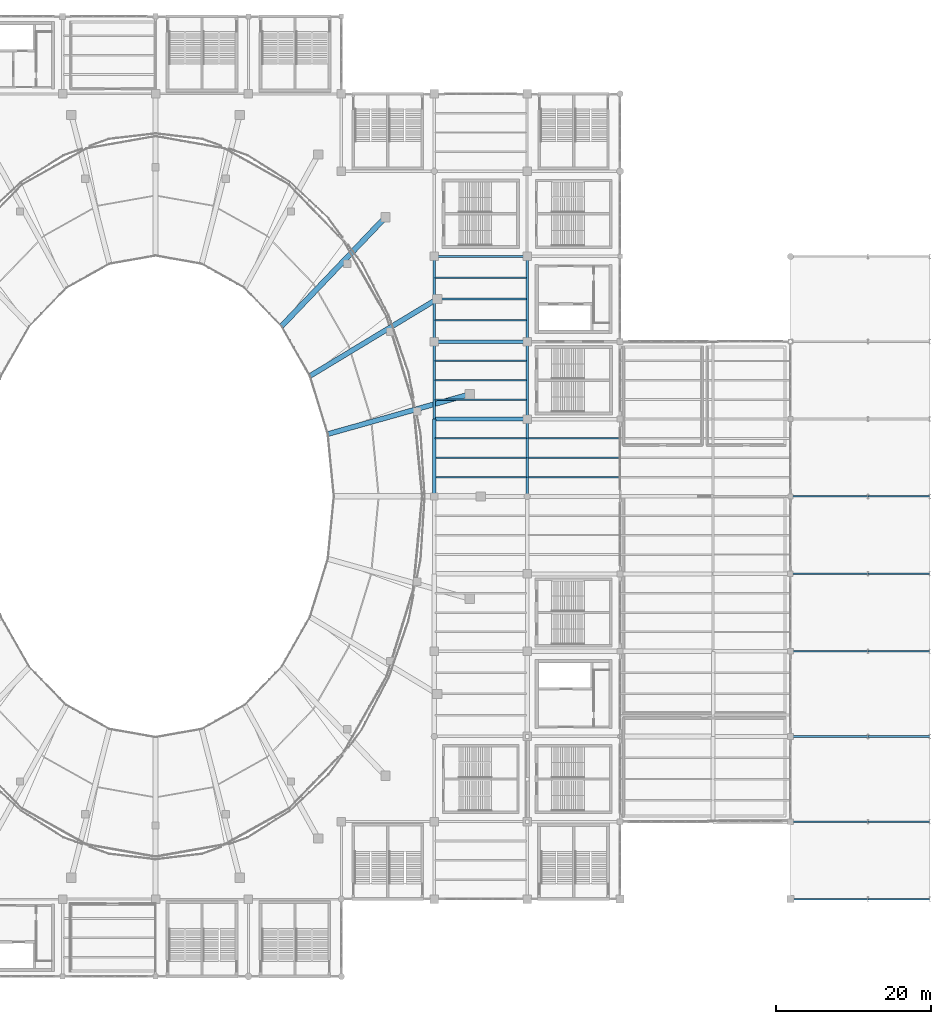
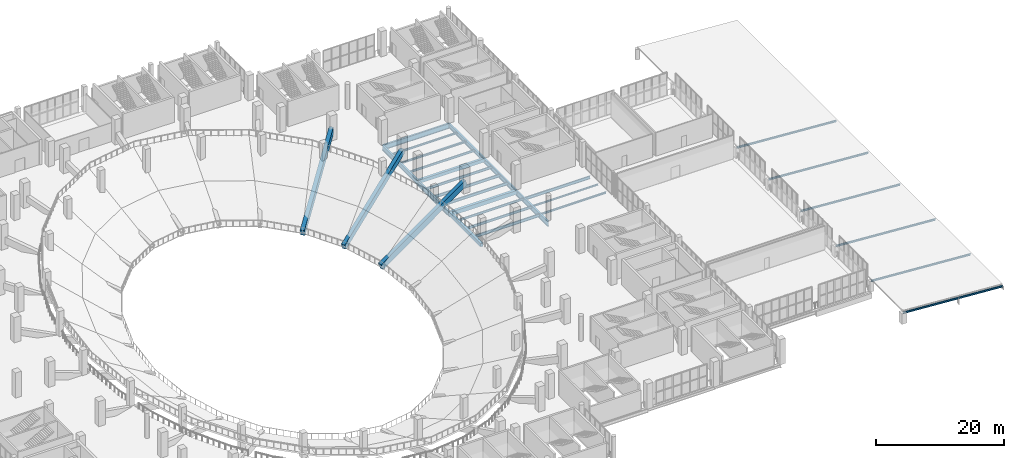
# One storey, part 76 of 136: 36 beams.
"""IFC4 building model written with IfcOpenShell, lengths in metres."""

from ifc_helpers import new_model, si_unit, direction, frame, origin, origin_2d, place, context, subcontext, project, spatial, rectangle, i_section, extrude, material, material_profile, profile_set, type_object, element, save


model = new_model("IFC4")

# Units and contexts
model_context = context("Model", 3, precision=1e-05, world=origin(), true_north=direction((0.0, 1.0)))
body_context = subcontext(model_context, "Body", "Model", "MODEL_VIEW")
ifc_project = project(units=[si_unit("LENGTHUNIT", "METRE"), si_unit("AREAUNIT", "SQUARE_METRE"), si_unit("VOLUMEUNIT", "CUBIC_METRE"), si_unit("PLANEANGLEUNIT", "RADIAN"), si_unit("MASSUNIT", "GRAM", prefix="KILO")], contexts=[model_context])

# Site, building, storey
site_placement = place(None, origin())
site = spatial("IfcSite", under=ifc_project, at=site_placement, CompositionType="ELEMENT")
building_placement = place(site_placement, origin())
building = spatial("IfcBuilding", under=site, at=building_placement, Name="Brinegate Civic Arena", CompositionType="ELEMENT")
storey_placement = place(building_placement, frame((0.0, 0.0, 5.39990234375)))
storey = spatial("IfcBuildingStorey", under=building, at=storey_placement, Name="L01", CompositionType="ELEMENT", Elevation=5.39990234375)

# Beams
ifc_material_1 = material(Name="Steel S355", Category="steel")
ifc_material_profile_1 = material_profile(ifc_material_1, i_section(OverallWidth=0.300048828125, OverallDepth=1.0, WebThickness=0.01904296875, FlangeThickness=0.031982421875, FilletRadius=0.02392578125, at=origin_2d()), Name="W1000X321")
ifc_profile_set_1 = profile_set([ifc_material_profile_1], Name="Steel S355")
beam_type_1 = type_object("IfcBeamType", Name="GIRDER-W1000X321", PredefinedType="BEAM", material=ifc_profile_set_1)
beam_1_placement = place(storey_placement, frame((144.0, 93.0, -0.83984375), z_axis=(1.0, 0.0, 0.0), x_axis=(0.0, 1.0, 0.0)))
element("IfcBeam", 1, at=beam_1_placement, inside=storey, type_object=beam_type_1, Name="Floor Girder BM-L01-GX-12-09", PredefinedType="BEAM", context=body_context, shape_type="SweptSolid", body=[
    extrude(i_section(OverallWidth=0.300048828125, OverallDepth=1.0, WebThickness=0.01904296875, FlangeThickness=0.031982421875, FilletRadius=0.02392578125, at=origin_2d()), origin(), (0.0, 0.0, 1.0), 12.0),
])
for number, where, z_axis, x_axis, name in (
    (2, (144.0, 72.0, -0.83984375), (0.0, 1.0, 0.0), (-1.0, 0.0, 0.0), "Floor Girder BM-L01-GY-12-07"),
    (3, (156.0, 62.0, -0.83984375), (0.0, 1.0, 0.0), (-1.0, 0.0, 0.0), "Floor Girder BM-L01-GY-13-06"),
):
    element("IfcBeam", number, at=place(storey_placement, frame(where, z_axis=z_axis, x_axis=x_axis)), inside=storey, type_object=beam_type_1, Name=name, PredefinedType="BEAM", context=body_context, shape_type="SweptSolid", body=[
        extrude(i_section(OverallWidth=0.300048828125, OverallDepth=1.0, WebThickness=0.01904296875, FlangeThickness=0.031982421875, FilletRadius=0.02392578125, at=origin_2d()), origin(), (0.0, 0.0, 1.0), 10.0),
    ])
ifc_material_profile_2 = material_profile(ifc_material_1, i_section(OverallWidth=0.2939453125, OverallDepth=0.85107421875, WebThickness=0.01611328125, FlangeThickness=0.027099609375, FilletRadius=0.02197265625, at=origin_2d()), Name="W840X226")
ifc_profile_set_2 = profile_set([ifc_material_profile_2], Name="Steel S355")
beam_type_2 = type_object("IfcBeamType", Name="GIRDER-W840X226", PredefinedType="BEAM", material=ifc_profile_set_2)
beam_2_placement = place(storey_placement, frame((156.0, 82.0, -0.764892578125), z_axis=(0.0, 1.0, 0.0), x_axis=(-1.0, 0.0, 0.0)))
element("IfcBeam", 4, at=beam_2_placement, inside=storey, type_object=beam_type_2, Name="Floor Girder BM-L01-GY-13-08", PredefinedType="BEAM", context=body_context, shape_type="SweptSolid", body=[
    extrude(i_section(OverallWidth=0.2939453125, OverallDepth=0.85107421875, WebThickness=0.01611328125, FlangeThickness=0.027099609375, FilletRadius=0.02197265625, at=origin_2d()), origin(), (0.0, 0.0, 1.0), 11.0),
])
ifc_material_profile_3 = material_profile(ifc_material_1, i_section(OverallWidth=0.30810546875, OverallDepth=0.927001953125, WebThickness=0.01904296875, FlangeThickness=0.031982421875, FilletRadius=0.02392578125, at=origin_2d()), Name="W920X289")
ifc_profile_set_3 = profile_set([ifc_material_profile_3], Name="Steel S355")
beam_type_3 = type_object("IfcBeamType", Name="GIRDER-W920X289", PredefinedType="BEAM", material=ifc_profile_set_3)
beam_3_placement = place(storey_placement, frame((144.0, 82.0, -0.802978515625), z_axis=(0.0, 1.0, 0.0), x_axis=(-1.0, 0.0, 0.0)))
element("IfcBeam", 5, at=beam_3_placement, inside=storey, type_object=beam_type_3, Name="Floor Girder BM-L01-GY-12-08", PredefinedType="BEAM", context=body_context, shape_type="SweptSolid", body=[
    extrude(i_section(OverallWidth=0.30810546875, OverallDepth=0.927001953125, WebThickness=0.01904296875, FlangeThickness=0.031982421875, FilletRadius=0.02392578125, at=origin_2d()), origin(), (0.0, 0.0, 1.0), 11.0),
])
beam_4_placement = place(storey_placement, frame((156.0, 72.0, -0.802978515625), z_axis=(0.0, 1.0, 0.0), x_axis=(-1.0, 0.0, 0.0)))
element("IfcBeam", 6, at=beam_4_placement, inside=storey, type_object=beam_type_3, Name="Floor Girder BM-L01-GY-13-07", PredefinedType="BEAM", context=body_context, shape_type="SweptSolid", body=[
    extrude(i_section(OverallWidth=0.30810546875, OverallDepth=0.927001953125, WebThickness=0.01904296875, FlangeThickness=0.031982421875, FilletRadius=0.02392578125, at=origin_2d()), origin(), (0.0, 0.0, 1.0), 10.0),
])
ifc_material_profile_4 = material_profile(ifc_material_1, i_section(OverallWidth=0.1669921875, OverallDepth=0.31689453125, WebThickness=0.008056640625, FlangeThickness=0.012939453125, FilletRadius=0.012939453125, at=origin_2d()), Name="W310X52")
ifc_profile_set_4 = profile_set([ifc_material_profile_4], Name="Steel S355")
beam_type_4 = type_object("IfcBeamType", Name="JOIST-W310X52", PredefinedType="JOIST", material=ifc_profile_set_4)
beam_5_placement = place(storey_placement, frame((156.10595703125, 67.0, -0.497802734375), z_axis=(1.0, 0.0, 0.0), x_axis=(0.0, 1.0, 0.0)))
element("IfcBeam", 7, at=beam_5_placement, inside=storey, type_object=beam_type_4, Name="Secondary Joist BM-L01-JX-13-06-2", PredefinedType="JOIST", context=body_context, shape_type="SweptSolid", body=[
    extrude(i_section(OverallWidth=0.1669921875, OverallDepth=0.31689453125, WebThickness=0.008056640625, FlangeThickness=0.012939453125, FilletRadius=0.012939453125, at=origin_2d()), origin(), (0.0, 0.0, 1.0), 11.7880859375),
])
ifc_material_profile_5 = material_profile(ifc_material_1, i_section(OverallWidth=0.202880859375, OverallDepth=0.346923828125, WebThickness=0.008056640625, FlangeThickness=0.013916015625, FilletRadius=0.013916015625, at=origin_2d()), Name="W360X64")
ifc_profile_set_5 = profile_set([ifc_material_profile_5], Name="Steel S355")
beam_type_5 = type_object("IfcBeamType", Name="JOIST-W360X64", PredefinedType="JOIST", material=ifc_profile_set_5)
beam_6_placement = place(storey_placement, frame((190.0, 10.0, 1.8271484375), z_axis=(0.997783001586, 0.0, -0.066551346688), x_axis=(0.0, 1.0, 0.0)))
element("IfcBeam", 8, at=beam_6_placement, inside=storey, type_object=beam_type_5, Name="Dock Roof Rafter B-1", PredefinedType="JOIST", context=body_context, shape_type="SweptSolid", body=[
    extrude(i_section(OverallWidth=0.202880859375, OverallDepth=0.346923828125, WebThickness=0.008056640625, FlangeThickness=0.013916015625, FilletRadius=0.013916015625, at=origin_2d()), origin(), (0.0, 0.0, 1.0), 10.022216796875),
])
beam_7_placement = place(storey_placement, frame((200.0, 10.0, 1.16015625), z_axis=(0.997788255676, 0.0, -0.066472526921), x_axis=(0.0, 1.0, 0.0)))
element("IfcBeam", 9, at=beam_7_placement, inside=storey, type_object=beam_type_5, Name="Dock Roof Rafter B-2", PredefinedType="JOIST", context=body_context, shape_type="SweptSolid", body=[
    extrude(i_section(OverallWidth=0.202880859375, OverallDepth=0.346923828125, WebThickness=0.008056640625, FlangeThickness=0.013916015625, FilletRadius=0.013916015625, at=origin_2d()), origin(), (0.0, 0.0, 1.0), 8.017822265625),
])
beam_8_placement = place(storey_placement, frame((190.0, 20.0, 1.8271484375), z_axis=(0.997783001586, 0.0, -0.066551346688), x_axis=(0.0, 1.0, 0.0)))
element("IfcBeam", 10, at=beam_8_placement, inside=storey, type_object=beam_type_5, Name="Dock Roof Rafter C-1", PredefinedType="JOIST", context=body_context, shape_type="SweptSolid", body=[
    extrude(i_section(OverallWidth=0.202880859375, OverallDepth=0.346923828125, WebThickness=0.008056640625, FlangeThickness=0.013916015625, FilletRadius=0.013916015625, at=origin_2d()), origin(), (0.0, 0.0, 1.0), 10.022216796875),
])
beam_9_placement = place(storey_placement, frame((200.0, 20.0, 1.16015625), z_axis=(0.997788255676, 0.0, -0.066472526921), x_axis=(0.0, 1.0, 0.0)))
element("IfcBeam", 11, at=beam_9_placement, inside=storey, type_object=beam_type_5, Name="Dock Roof Rafter C-2", PredefinedType="JOIST", context=body_context, shape_type="SweptSolid", body=[
    extrude(i_section(OverallWidth=0.202880859375, OverallDepth=0.346923828125, WebThickness=0.008056640625, FlangeThickness=0.013916015625, FilletRadius=0.013916015625, at=origin_2d()), origin(), (0.0, 0.0, 1.0), 8.017822265625),
])
beam_10_placement = place(storey_placement, frame((190.0, 31.0, 1.8271484375), z_axis=(0.997783001586, 0.0, -0.066551346688), x_axis=(0.0, 1.0, 0.0)))
element("IfcBeam", 12, at=beam_10_placement, inside=storey, type_object=beam_type_5, Name="Dock Roof Rafter D-1", PredefinedType="JOIST", context=body_context, shape_type="SweptSolid", body=[
    extrude(i_section(OverallWidth=0.202880859375, OverallDepth=0.346923828125, WebThickness=0.008056640625, FlangeThickness=0.013916015625, FilletRadius=0.013916015625, at=origin_2d()), origin(), (0.0, 0.0, 1.0), 10.022216796875),
])
beam_11_placement = place(storey_placement, frame((200.0, 31.0, 1.16015625), z_axis=(0.997788255676, 0.0, -0.066472526921), x_axis=(0.0, 1.0, 0.0)))
element("IfcBeam", 13, at=beam_11_placement, inside=storey, type_object=beam_type_5, Name="Dock Roof Rafter D-2", PredefinedType="JOIST", context=body_context, shape_type="SweptSolid", body=[
    extrude(i_section(OverallWidth=0.202880859375, OverallDepth=0.346923828125, WebThickness=0.008056640625, FlangeThickness=0.013916015625, FilletRadius=0.013916015625, at=origin_2d()), origin(), (0.0, 0.0, 1.0), 8.017822265625),
])
beam_12_placement = place(storey_placement, frame((190.0, 42.0, 1.8271484375), z_axis=(0.997783001586, 0.0, -0.066551346688), x_axis=(0.0, 1.0, 0.0)))
element("IfcBeam", 14, at=beam_12_placement, inside=storey, type_object=beam_type_5, Name="Dock Roof Rafter E-1", PredefinedType="JOIST", context=body_context, shape_type="SweptSolid", body=[
    extrude(i_section(OverallWidth=0.202880859375, OverallDepth=0.346923828125, WebThickness=0.008056640625, FlangeThickness=0.013916015625, FilletRadius=0.013916015625, at=origin_2d()), origin(), (0.0, 0.0, 1.0), 10.022216796875),
])
beam_13_placement = place(storey_placement, frame((200.0, 42.0, 1.16015625), z_axis=(0.997788255676, 0.0, -0.066472526921), x_axis=(0.0, 1.0, 0.0)))
element("IfcBeam", 15, at=beam_13_placement, inside=storey, type_object=beam_type_5, Name="Dock Roof Rafter E-2", PredefinedType="JOIST", context=body_context, shape_type="SweptSolid", body=[
    extrude(i_section(OverallWidth=0.202880859375, OverallDepth=0.346923828125, WebThickness=0.008056640625, FlangeThickness=0.013916015625, FilletRadius=0.013916015625, at=origin_2d()), origin(), (0.0, 0.0, 1.0), 8.017822265625),
])
beam_14_placement = place(storey_placement, frame((190.0, 52.0, 1.8271484375), z_axis=(0.997783001586, 0.0, -0.066551346688), x_axis=(0.0, 1.0, 0.0)))
element("IfcBeam", 16, at=beam_14_placement, inside=storey, type_object=beam_type_5, Name="Dock Roof Rafter F-1", PredefinedType="JOIST", context=body_context, shape_type="SweptSolid", body=[
    extrude(i_section(OverallWidth=0.202880859375, OverallDepth=0.346923828125, WebThickness=0.008056640625, FlangeThickness=0.013916015625, FilletRadius=0.013916015625, at=origin_2d()), origin(), (0.0, 0.0, 1.0), 10.022216796875),
])
beam_15_placement = place(storey_placement, frame((200.0, 52.0, 1.16015625), z_axis=(0.997788255676, 0.0, -0.066472526921), x_axis=(0.0, 1.0, 0.0)))
element("IfcBeam", 17, at=beam_15_placement, inside=storey, type_object=beam_type_5, Name="Dock Roof Rafter F-2", PredefinedType="JOIST", context=body_context, shape_type="SweptSolid", body=[
    extrude(i_section(OverallWidth=0.202880859375, OverallDepth=0.346923828125, WebThickness=0.008056640625, FlangeThickness=0.013916015625, FilletRadius=0.013916015625, at=origin_2d()), origin(), (0.0, 0.0, 1.0), 8.017822265625),
])
beam_16_placement = place(storey_placement, frame((190.0, 62.0, 1.8271484375), z_axis=(0.997783001586, 0.0, -0.066551346688), x_axis=(0.0, 1.0, 0.0)))
element("IfcBeam", 18, at=beam_16_placement, inside=storey, type_object=beam_type_5, Name="Dock Roof Rafter G-1", PredefinedType="JOIST", context=body_context, shape_type="SweptSolid", body=[
    extrude(i_section(OverallWidth=0.202880859375, OverallDepth=0.346923828125, WebThickness=0.008056640625, FlangeThickness=0.013916015625, FilletRadius=0.013916015625, at=origin_2d()), origin(), (0.0, 0.0, 1.0), 10.022216796875),
])
beam_17_placement = place(storey_placement, frame((200.0, 62.0, 1.16015625), z_axis=(0.997788255676, 0.0, -0.066472526921), x_axis=(0.0, 1.0, 0.0)))
element("IfcBeam", 19, at=beam_17_placement, inside=storey, type_object=beam_type_5, Name="Dock Roof Rafter G-2", PredefinedType="JOIST", context=body_context, shape_type="SweptSolid", body=[
    extrude(i_section(OverallWidth=0.202880859375, OverallDepth=0.346923828125, WebThickness=0.008056640625, FlangeThickness=0.013916015625, FilletRadius=0.013916015625, at=origin_2d()), origin(), (0.0, 0.0, 1.0), 8.017822265625),
])
beam_18_placement = place(storey_placement, frame((156.10595703125, 64.5, -0.512939453125), z_axis=(1.0, 0.0, 0.0), x_axis=(0.0, 1.0, 0.0)))
element("IfcBeam", 20, at=beam_18_placement, inside=storey, type_object=beam_type_5, Name="Secondary Joist BM-L01-JX-13-06-1", PredefinedType="JOIST", context=body_context, shape_type="SweptSolid", body=[
    extrude(i_section(OverallWidth=0.202880859375, OverallDepth=0.346923828125, WebThickness=0.008056640625, FlangeThickness=0.013916015625, FilletRadius=0.013916015625, at=origin_2d()), origin(), (0.0, 0.0, 1.0), 11.7880859375),
])
ifc_material_profile_6 = material_profile(ifc_material_1, i_section(OverallWidth=0.205078125, OverallDepth=0.35400390625, WebThickness=0.009033203125, FlangeThickness=0.01708984375, FilletRadius=0.013916015625, at=origin_2d()), Name="W360X79")
ifc_profile_set_6 = profile_set([ifc_material_profile_6], Name="Steel S355")
beam_type_6 = type_object("IfcBeamType", Name="JOIST-W360X79", PredefinedType="JOIST", material=ifc_profile_set_6)
beam_19_placement = place(storey_placement, frame((144.10595703125, 90.25, -0.516845703125), z_axis=(1.0, 0.0, 0.0), x_axis=(0.0, 1.0, 0.0)))
element("IfcBeam", 21, at=beam_19_placement, inside=storey, type_object=beam_type_6, Name="Secondary Joist BM-L01-JX-12-08-3", PredefinedType="JOIST", context=body_context, shape_type="SweptSolid", body=[
    extrude(i_section(OverallWidth=0.205078125, OverallDepth=0.35400390625, WebThickness=0.009033203125, FlangeThickness=0.01708984375, FilletRadius=0.013916015625, at=origin_2d()), origin(), (0.0, 0.0, 1.0), 11.7880859375),
])
ifc_material_profile_7 = material_profile(ifc_material_1, i_section(OverallWidth=0.25390625, OverallDepth=0.35302734375, WebThickness=0.010009765625, FlangeThickness=0.01611328125, FilletRadius=0.013916015625, at=origin_2d()), Name="W360X91")
ifc_profile_set_7 = profile_set([ifc_material_profile_7], Name="Steel S355")
beam_type_7 = type_object("IfcBeamType", Name="JOIST-W360X91", PredefinedType="JOIST", material=ifc_profile_set_7)
beam_20_placement = place(storey_placement, frame((144.10595703125, 87.5, -0.515869140625), z_axis=(1.0, 0.0, 0.0), x_axis=(0.0, 1.0, 0.0)))
element("IfcBeam", 22, at=beam_20_placement, inside=storey, type_object=beam_type_7, Name="Secondary Joist BM-L01-JX-12-08-2", PredefinedType="JOIST", context=body_context, shape_type="SweptSolid", body=[
    extrude(i_section(OverallWidth=0.25390625, OverallDepth=0.35302734375, WebThickness=0.010009765625, FlangeThickness=0.01611328125, FilletRadius=0.013916015625, at=origin_2d()), origin(), (0.0, 0.0, 1.0), 11.7880859375),
])
ifc_material_profile_8 = material_profile(ifc_material_1, i_section(OverallWidth=0.178955078125, OverallDepth=0.409912109375, WebThickness=0.009033203125, FlangeThickness=0.013916015625, FilletRadius=0.013916015625, at=origin_2d()), Name="W410X67")
ifc_profile_set_8 = profile_set([ifc_material_profile_8], Name="Steel S355")
beam_type_8 = type_object("IfcBeamType", Name="JOIST-W410X67", PredefinedType="JOIST", material=ifc_profile_set_8)
beam_21_placement = place(storey_placement, frame((144.10595703125, 84.75, -0.544921875), z_axis=(1.0, 0.0, 0.0), x_axis=(0.0, 1.0, 0.0)))
element("IfcBeam", 23, at=beam_21_placement, inside=storey, type_object=beam_type_8, Name="Secondary Joist BM-L01-JX-12-08-1", PredefinedType="JOIST", context=body_context, shape_type="SweptSolid", body=[
    extrude(i_section(OverallWidth=0.178955078125, OverallDepth=0.409912109375, WebThickness=0.009033203125, FlangeThickness=0.013916015625, FilletRadius=0.013916015625, at=origin_2d()), origin(), (0.0, 0.0, 1.0), 11.7880859375),
])
ifc_material_profile_9 = material_profile(ifc_material_1, i_section(OverallWidth=0.179931640625, OverallDepth=0.4130859375, WebThickness=0.010009765625, FlangeThickness=0.01611328125, FilletRadius=0.013916015625, at=origin_2d()), Name="W410X75")
ifc_profile_set_9 = profile_set([ifc_material_profile_9], Name="Steel S355")
beam_type_9 = type_object("IfcBeamType", Name="JOIST-W410X75", PredefinedType="JOIST", material=ifc_profile_set_9)
beam_22_placement = place(storey_placement, frame((144.10595703125, 69.5, -0.5458984375), z_axis=(1.0, 0.0, 0.0), x_axis=(0.0, 1.0, 0.0)))
element("IfcBeam", 24, at=beam_22_placement, inside=storey, type_object=beam_type_9, Name="Secondary Joist BM-L01-JX-12-06-3", PredefinedType="JOIST", context=body_context, shape_type="SweptSolid", body=[
    extrude(i_section(OverallWidth=0.179931640625, OverallDepth=0.4130859375, WebThickness=0.010009765625, FlangeThickness=0.01611328125, FilletRadius=0.013916015625, at=origin_2d()), origin(), (0.0, 0.0, 1.0), 11.7880859375),
])
ifc_material_profile_10 = material_profile(ifc_material_1, i_section(OverallWidth=0.195068359375, OverallDepth=0.472900390625, WebThickness=0.011962890625, FlangeThickness=0.02197265625, FilletRadius=0.014892578125, at=origin_2d()), Name="W460X113")
ifc_profile_set_10 = profile_set([ifc_material_profile_10], Name="Steel S355")
beam_type_10 = type_object("IfcBeamType", Name="JOIST-W460X113", PredefinedType="JOIST", material=ifc_profile_set_10)
beam_23_placement = place(storey_placement, frame((144.10595703125, 79.5, -0.575927734375), z_axis=(1.0, 0.0, 0.0), x_axis=(0.0, 1.0, 0.0)))
element("IfcBeam", 25, at=beam_23_placement, inside=storey, type_object=beam_type_10, Name="Secondary Joist BM-L01-JX-12-07-3", PredefinedType="JOIST", context=body_context, shape_type="SweptSolid", body=[
    extrude(i_section(OverallWidth=0.195068359375, OverallDepth=0.472900390625, WebThickness=0.011962890625, FlangeThickness=0.02197265625, FilletRadius=0.014892578125, at=origin_2d()), origin(), (0.0, 0.0, 1.0), 11.7880859375),
])
ifc_material_profile_11 = material_profile(ifc_material_1, i_section(OverallWidth=0.193115234375, OverallDepth=0.466064453125, WebThickness=0.010986328125, FlangeThickness=0.01904296875, FilletRadius=0.014892578125, at=origin_2d()), Name="W460X97")
ifc_profile_set_11 = profile_set([ifc_material_profile_11], Name="Steel S355")
beam_type_11 = type_object("IfcBeamType", Name="JOIST-W460X97", PredefinedType="JOIST", material=ifc_profile_set_11)
beam_24_placement = place(storey_placement, frame((144.10595703125, 67.0, -0.572998046875), z_axis=(1.0, 0.0, 0.0), x_axis=(0.0, 1.0, 0.0)))
element("IfcBeam", 26, at=beam_24_placement, inside=storey, type_object=beam_type_11, Name="Secondary Joist BM-L01-JX-12-06-2", PredefinedType="JOIST", context=body_context, shape_type="SweptSolid", body=[
    extrude(i_section(OverallWidth=0.193115234375, OverallDepth=0.466064453125, WebThickness=0.010986328125, FlangeThickness=0.01904296875, FilletRadius=0.014892578125, at=origin_2d()), origin(), (0.0, 0.0, 1.0), 11.7880859375),
])
ifc_material_profile_12 = material_profile(ifc_material_1, i_section(OverallWidth=0.2109375, OverallDepth=0.5390625, WebThickness=0.011962890625, FlangeThickness=0.01904296875, FilletRadius=0.01611328125, at=origin_2d()), Name="W530X109")
ifc_profile_set_12 = profile_set([ifc_material_profile_12], Name="Steel S355")
beam_type_12 = type_object("IfcBeamType", Name="JOIST-W530X109", PredefinedType="JOIST", material=ifc_profile_set_12)
beam_25_placement = place(storey_placement, frame((144.10595703125, 77.0, -0.60888671875), z_axis=(1.0, 0.0, 0.0), x_axis=(0.0, 1.0, 0.0)))
element("IfcBeam", 27, at=beam_25_placement, inside=storey, type_object=beam_type_12, Name="Secondary Joist BM-L01-JX-12-07-2", PredefinedType="JOIST", context=body_context, shape_type="SweptSolid", body=[
    extrude(i_section(OverallWidth=0.2109375, OverallDepth=0.5390625, WebThickness=0.011962890625, FlangeThickness=0.01904296875, FilletRadius=0.01611328125, at=origin_2d()), origin(), (0.0, 0.0, 1.0), 11.7880859375),
])
ifc_material_profile_13 = material_profile(ifc_material_1, i_section(OverallWidth=0.2119140625, OverallDepth=0.5439453125, WebThickness=0.012939453125, FlangeThickness=0.02099609375, FilletRadius=0.01611328125, at=origin_2d()), Name="W530X123")
ifc_profile_set_13 = profile_set([ifc_material_profile_13], Name="Steel S355")
beam_type_13 = type_object("IfcBeamType", Name="JOIST-W530X123", PredefinedType="JOIST", material=ifc_profile_set_13)
beam_26_placement = place(storey_placement, frame((144.10595703125, 64.5, -0.61181640625), z_axis=(1.0, 0.0, 0.0), x_axis=(0.0, 1.0, 0.0)))
element("IfcBeam", 28, at=beam_26_placement, inside=storey, type_object=beam_type_13, Name="Secondary Joist BM-L01-JX-12-06-1", PredefinedType="JOIST", context=body_context, shape_type="SweptSolid", body=[
    extrude(i_section(OverallWidth=0.2119140625, OverallDepth=0.5439453125, WebThickness=0.012939453125, FlangeThickness=0.02099609375, FilletRadius=0.01611328125, at=origin_2d()), origin(), (0.0, 0.0, 1.0), 11.7880859375),
])
ifc_material_profile_14 = material_profile(ifc_material_1, i_section(OverallWidth=0.214111328125, OverallDepth=0.549072265625, WebThickness=0.014892578125, FlangeThickness=0.02392578125, FilletRadius=0.01611328125, at=origin_2d()), Name="W530X138")
ifc_profile_set_14 = profile_set([ifc_material_profile_14], Name="Steel S355")
beam_type_14 = type_object("IfcBeamType", Name="JOIST-W530X138", PredefinedType="JOIST", material=ifc_profile_set_14)
for number, where, z_axis, x_axis, name in (
    (29, (144.10595703125, 74.5, -0.614013671875), (1.0, 0.0, 0.0), (0.0, 1.0, 0.0), "Secondary Joist BM-L01-JX-12-07-1"),
    (30, (156.10595703125, 69.5, -0.614013671875), (1.0, 0.0, 0.0), (0.0, 1.0, 0.0), "Secondary Joist BM-L01-JX-13-06-3"),
):
    element("IfcBeam", number, at=place(storey_placement, frame(where, z_axis=z_axis, x_axis=x_axis)), inside=storey, type_object=beam_type_14, Name=name, PredefinedType="JOIST", context=body_context, shape_type="SweptSolid", body=[
        extrude(i_section(OverallWidth=0.214111328125, OverallDepth=0.549072265625, WebThickness=0.014892578125, FlangeThickness=0.02392578125, FilletRadius=0.01611328125, at=origin_2d()), origin(), (0.0, 0.0, 1.0), 11.7880859375),
    ])
ifc_material_2 = material(Name="Concrete C50/60", Category="concrete")
ifc_material_profile_15 = material_profile(ifc_material_2, rectangle(XDim=0.64990234375, YDim=1.10009765625, at=origin_2d()), Name="RKR650X1100")
ifc_profile_set_15 = profile_set([ifc_material_profile_15], Name="Concrete C50/60")
beam_type_15 = type_object("IfcBeamType", Name="RAKER-RKR650X1100", PredefinedType="USERDEFINED", material=ifc_profile_set_15)
beam_27_placement = place(storey_placement, frame((128.092041015625, 77.64990234375, -4.89990234375), z_axis=(0.807034448443, 0.488260258474, 0.332110401857), x_axis=(-0.517641309359, 0.85559772957, 0.0)))
element("IfcBeam", 31, at=beam_27_placement, inside=storey, type_object=beam_type_15, Name="Lower Bowl Raker Girder RKR-LWR-03", ObjectType="RAKER GIRDER", PredefinedType="USERDEFINED", context=body_context, shape_type="SweptSolid", body=[
    extrude(rectangle(XDim=0.64990234375, YDim=1.10009765625, at=origin_2d()), origin(), (0.0, 0.0, 1.0), 20.173828125),
])
ifc_material_profile_16 = material_profile(ifc_material_2, rectangle(XDim=0.64990234375, YDim=1.199951171875, at=origin_2d()), Name="RKR650X1200")
ifc_profile_set_16 = profile_set([ifc_material_profile_16], Name="Concrete C50/60")
beam_type_16 = type_object("IfcBeamType", Name="RAKER-RKR650X1200", PredefinedType="USERDEFINED", material=ifc_profile_set_16)
beam_28_placement = place(storey_placement, frame((130.408935546875, 70.10107421875, -4.89990234375), z_axis=(0.907237931678, 0.254727686103, 0.334713521174), x_axis=(-0.270319746837, 0.962770603244, 0.0)))
element("IfcBeam", 32, at=beam_28_placement, inside=storey, type_object=beam_type_16, Name="Lower Bowl Raker Girder RKR-LWR-02", ObjectType="RAKER GIRDER", PredefinedType="USERDEFINED", context=body_context, shape_type="SweptSolid", body=[
    extrude(rectangle(XDim=0.64990234375, YDim=1.199951171875, at=origin_2d()), origin(), (0.0, 0.0, 1.0), 20.01708984375),
])
ifc_material_profile_17 = material_profile(ifc_material_2, rectangle(XDim=0.699951171875, YDim=1.300048828125, at=origin_2d()), Name="RKR700X1300")
ifc_profile_set_17 = profile_set([ifc_material_profile_17], Name="Concrete C50/60")
beam_type_17 = type_object("IfcBeamType", Name="RAKER-RKR700X1300", PredefinedType="USERDEFINED", material=ifc_profile_set_17)
beam_29_placement = place(storey_placement, frame((124.405029296875, 84.132080078125, -4.89990234375), z_axis=(0.652027240531, 0.683270611648, 0.328636195304), x_axis=(-0.723453696653, 0.690372905609, 0.0)))
element("IfcBeam", 33, at=beam_29_placement, inside=storey, type_object=beam_type_17, Name="Lower Bowl Raker Girder RKR-LWR-04", ObjectType="RAKER GIRDER", PredefinedType="USERDEFINED", context=body_context, shape_type="SweptSolid", body=[
    extrude(rectangle(XDim=0.699951171875, YDim=1.300048828125, at=origin_2d()), origin(), (0.0, 0.0, 1.0), 20.38720703125),
])
ifc_material_profile_18 = material_profile(ifc_material_2, rectangle(XDim=0.449951171875, YDim=0.64990234375, at=origin_2d()), Name="RCB450X650")
ifc_profile_set_18 = profile_set([ifc_material_profile_18], Name="Concrete C50/60")
beam_type_18 = type_object("IfcBeamType", Name="RCG-450X650", PredefinedType="BEAM", material=ifc_profile_set_18)
beam_30_placement = place(storey_placement, frame((144.0, 82.0, -0.664794921875), z_axis=(1.0, 0.0, 0.0), x_axis=(0.0, 1.0, 0.0)))
element("IfcBeam", 34, at=beam_30_placement, inside=storey, type_object=beam_type_18, Name="Floor Girder BM-L01-GX-12-08", PredefinedType="BEAM", context=body_context, shape_type="SweptSolid", body=[
    extrude(rectangle(XDim=0.449951171875, YDim=0.64990234375, at=origin_2d()), origin(), (0.0, 0.0, 1.0), 12.0),
])
beam_31_placement = place(storey_placement, frame((144.0, 62.0, -0.664794921875), z_axis=(0.0, 1.0, 0.0), x_axis=(-1.0, 0.0, 0.0)))
element("IfcBeam", 35, at=beam_31_placement, inside=storey, type_object=beam_type_18, Name="Floor Girder BM-L01-GY-12-06", PredefinedType="BEAM", context=body_context, shape_type="SweptSolid", body=[
    extrude(rectangle(XDim=0.449951171875, YDim=0.64990234375, at=origin_2d()), origin(), (0.0, 0.0, 1.0), 10.0),
])
ifc_material_profile_19 = material_profile(ifc_material_2, rectangle(XDim=0.5, YDim=0.75, at=origin_2d()), Name="RCB500X750")
ifc_profile_set_19 = profile_set([ifc_material_profile_19], Name="Concrete C50/60")
beam_type_19 = type_object("IfcBeamType", Name="RCG-500X750", PredefinedType="BEAM", material=ifc_profile_set_19)
beam_32_placement = place(storey_placement, frame((144.0, 72.0, -0.71484375), z_axis=(1.0, 0.0, 0.0), x_axis=(0.0, 1.0, 0.0)))
element("IfcBeam", 36, at=beam_32_placement, inside=storey, type_object=beam_type_19, Name="Floor Girder BM-L01-GX-12-07", PredefinedType="BEAM", context=body_context, shape_type="SweptSolid", body=[
    extrude(rectangle(XDim=0.5, YDim=0.75, at=origin_2d()), origin(), (0.0, 0.0, 1.0), 12.0),
])

save(model, "model.ifc")
